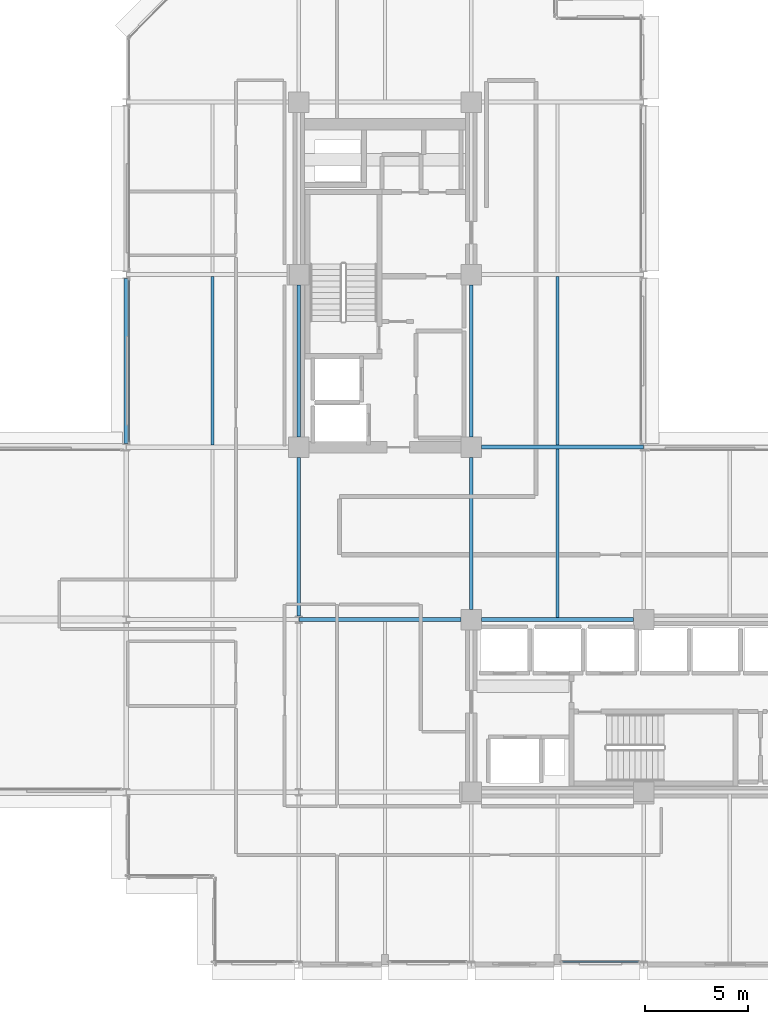
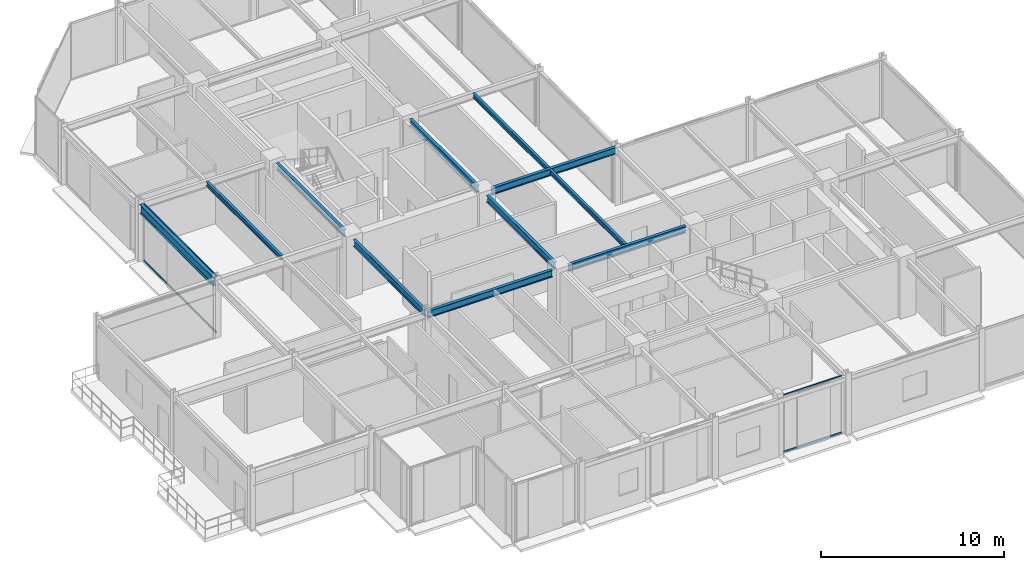
# One storey, part 10 of 29: 11 beams, 4 members, 2 elements without a shape of their own.
"""IFC4 building model written with IfcOpenShell, lengths in metres."""

from ifc_helpers import new_model, si_unit, direction, frame, origin, origin_2d, place, context, subcontext, project, spatial, hollow_rectangle, i_section, extrude, material, layer, layer_set, material_profile, profile_set, type_object, element, aggregate, save


model = new_model("IFC4")

# Units and contexts
model_context = context("Model", 3, precision=1e-05, world=origin(), true_north=direction((0.0, 1.0)))
body_context = subcontext(model_context, "Body", "Model", "MODEL_VIEW")
ifc_project = project(units=[si_unit("LENGTHUNIT", "METRE"), si_unit("AREAUNIT", "SQUARE_METRE"), si_unit("VOLUMEUNIT", "CUBIC_METRE"), si_unit("PLANEANGLEUNIT", "RADIAN"), si_unit("MASSUNIT", "GRAM", prefix="KILO")], contexts=[model_context])

# Site, building, storey
site_placement = place(None, origin())
site = spatial("IfcSite", under=ifc_project, at=site_placement, CompositionType="ELEMENT")
building_placement = place(site_placement, origin())
building = spatial("IfcBuilding", under=site, at=building_placement, Name="Nerrivon Quay Data Exchange", CompositionType="ELEMENT")
storey_placement = place(building_placement, frame((0.0, 0.0, 179.60009765625)))
storey = spatial("IfcBuildingStorey", under=building, at=storey_placement, Name="L42", CompositionType="ELEMENT", Elevation=179.60009765625)

# Beams
ifc_material_1 = material(Name="Steel Grade 350", Category="steel")
ifc_material_profile_1 = material_profile(ifc_material_1, i_section(OverallWidth=0.22802734375, OverallDepth=0.60205078125, WebThickness=0.010498046875, FlangeThickness=0.014892578125, FilletRadius=0.013916015625, at=origin_2d()), Name="610UB101")
ifc_profile_set_1 = profile_set([ifc_material_profile_1], Name="Steel Grade 350")
beam_type_1 = type_object("IfcBeamType", Name="BM-G2-610UB101", PredefinedType="BEAM", material=ifc_profile_set_1)
beam_1_placement = place(storey_placement, frame((0.0, 25.375, 3.52392578125), z_axis=(0.0, 1.0, 0.0), x_axis=(-1.0, 0.0, 0.0)))
element("IfcBeam", 1, at=beam_1_placement, inside=storey, type_object=beam_type_1, Name="L42 NS Girder X=0.0 (25.2..33.6)", PredefinedType="BEAM", context=body_context, shape_type="SweptSolid", body=[
    extrude(i_section(OverallWidth=0.22802734375, OverallDepth=0.60205078125, WebThickness=0.010498046875, FlangeThickness=0.014892578125, FilletRadius=0.013916015625, at=origin_2d()), origin(), (0.0, 0.0, 1.0), 8.050048828125),
])
ifc_material_profile_2 = material_profile(ifc_material_1, i_section(OverallWidth=0.19091796875, OverallDepth=0.4599609375, WebThickness=0.010009765625, FlangeThickness=0.01611328125, FilletRadius=0.011474609375, at=origin_2d()), Name="460UB82.1")
ifc_profile_set_2 = profile_set([ifc_material_profile_2], Name="Steel Grade 350")
beam_type_2 = type_object("IfcBeamType", Name="BM-G5-460UB82", PredefinedType="BEAM", material=ifc_profile_set_2)
beam_2_placement = place(storey_placement, frame((8.409912109375, 16.800048828125, 3.594970703125), z_axis=(1.0, 0.0, 0.0), x_axis=(0.0, 1.0, 0.0)))
element("IfcBeam", 2, at=beam_2_placement, inside=storey, type_object=beam_type_2, Name="L42 EW Girder Y=16.8 (8.4..16.8)", PredefinedType="BEAM", context=body_context, shape_type="SweptSolid", body=[
    extrude(i_section(OverallWidth=0.19091796875, OverallDepth=0.4599609375, WebThickness=0.010009765625, FlangeThickness=0.01611328125, FilletRadius=0.011474609375, at=origin_2d()), origin(), (0.0, 0.0, 1.0), 7.89013671875),
])
beam_3_placement = place(storey_placement, frame((17.300048828125, 16.800048828125, 3.594970703125), z_axis=(1.0, 0.0, 0.0), x_axis=(0.0, 1.0, 0.0)))
element("IfcBeam", 3, at=beam_3_placement, inside=storey, type_object=beam_type_2, Name="L42 EW Girder Y=16.8 (16.8..25.2)", PredefinedType="BEAM", context=body_context, shape_type="SweptSolid", body=[
    extrude(i_section(OverallWidth=0.19091796875, OverallDepth=0.4599609375, WebThickness=0.010009765625, FlangeThickness=0.01611328125, FilletRadius=0.011474609375, at=origin_2d()), origin(), (0.0, 0.0, 1.0), 7.39990234375),
])
beam_4_placement = place(storey_placement, frame((17.300048828125, 25.199951171875, 3.594970703125), z_axis=(1.0, 0.0, 0.0), x_axis=(0.0, 1.0, 0.0)))
element("IfcBeam", 4, at=beam_4_placement, inside=storey, type_object=beam_type_2, Name="L42 EW Girder Y=25.2 (16.8..25.2)", PredefinedType="BEAM", context=body_context, shape_type="SweptSolid", body=[
    extrude(i_section(OverallWidth=0.19091796875, OverallDepth=0.4599609375, WebThickness=0.010009765625, FlangeThickness=0.01611328125, FilletRadius=0.011474609375, at=origin_2d()), origin(), (0.0, 0.0, 1.0), 7.889892578125),
])
ifc_material_profile_3 = material_profile(ifc_material_1, i_section(OverallWidth=0.18994140625, OverallDepth=0.4541015625, WebThickness=0.008544921875, FlangeThickness=0.0126953125, FilletRadius=0.011474609375, at=origin_2d()), Name="460UB67.1")
ifc_profile_set_3 = profile_set([ifc_material_profile_3], Name="Steel Grade 350")
beam_type_3 = type_object("IfcBeamType", Name="BM-G6-460UB67", PredefinedType="BEAM", material=ifc_profile_set_3)
beam_5_placement = place(storey_placement, frame((8.39990234375, 16.97509765625, 3.597900390625), z_axis=(0.0, 1.0, 0.0), x_axis=(-1.0, 0.0, 0.0)))
element("IfcBeam", 5, at=beam_5_placement, inside=storey, type_object=beam_type_3, Name="L42 NS Girder X=8.4 (16.8..25.2)", PredefinedType="BEAM", context=body_context, shape_type="SweptSolid", body=[
    extrude(i_section(OverallWidth=0.18994140625, OverallDepth=0.4541015625, WebThickness=0.008544921875, FlangeThickness=0.0126953125, FilletRadius=0.011474609375, at=origin_2d()), origin(), (0.0, 0.0, 1.0), 7.724853515625),
])
beam_6_placement = place(storey_placement, frame((8.39990234375, 25.699951171875, 3.597900390625), z_axis=(0.0, 1.0, 0.0), x_axis=(-1.0, 0.0, 0.0)))
element("IfcBeam", 6, at=beam_6_placement, inside=storey, type_object=beam_type_3, Name="L42 NS Girder X=8.4 (25.2..33.6)", PredefinedType="BEAM", context=body_context, shape_type="SweptSolid", body=[
    extrude(i_section(OverallWidth=0.18994140625, OverallDepth=0.4541015625, WebThickness=0.008544921875, FlangeThickness=0.0126953125, FilletRadius=0.011474609375, at=origin_2d()), origin(), (0.0, 0.0, 1.0), 7.400146484375),
])
beam_7_placement = place(storey_placement, frame((16.800048828125, 17.300048828125, 3.597900390625), z_axis=(0.0, 1.0, 0.0), x_axis=(-1.0, 0.0, 0.0)))
element("IfcBeam", 7, at=beam_7_placement, inside=storey, type_object=beam_type_3, Name="L42 NS Girder X=16.8 (16.8..25.2)", PredefinedType="BEAM", context=body_context, shape_type="SweptSolid", body=[
    extrude(i_section(OverallWidth=0.18994140625, OverallDepth=0.4541015625, WebThickness=0.008544921875, FlangeThickness=0.0126953125, FilletRadius=0.011474609375, at=origin_2d()), origin(), (0.0, 0.0, 1.0), 7.39990234375),
])
beam_8_placement = place(storey_placement, frame((16.800048828125, 25.699951171875, 3.597900390625), z_axis=(0.0, 1.0, 0.0), x_axis=(-1.0, 0.0, 0.0)))
element("IfcBeam", 8, at=beam_8_placement, inside=storey, type_object=beam_type_3, Name="L42 NS Girder X=16.8 (25.2..33.6)", PredefinedType="BEAM", context=body_context, shape_type="SweptSolid", body=[
    extrude(i_section(OverallWidth=0.18994140625, OverallDepth=0.4541015625, WebThickness=0.008544921875, FlangeThickness=0.0126953125, FilletRadius=0.011474609375, at=origin_2d()), origin(), (0.0, 0.0, 1.0), 7.400146484375),
])
ifc_material_profile_4 = material_profile(ifc_material_1, i_section(OverallWidth=0.166015625, OverallDepth=0.306884765625, WebThickness=0.006591796875, FlangeThickness=0.01171875, FilletRadius=0.011474609375, at=origin_2d()), Name="310UB46.2")
ifc_profile_set_4 = profile_set([ifc_material_profile_4], Name="Steel Grade 350")
beam_type_4 = type_object("IfcBeamType", Name="BM-J5-310UB46", PredefinedType="JOIST", material=ifc_profile_set_4)
beam_9_placement = place(storey_placement, frame((4.199951171875, 25.314453125, 3.67138671875), z_axis=(0.0, 1.0, 0.0), x_axis=(-1.0, 0.0, 0.0)))
element("IfcBeam", 9, at=beam_9_placement, inside=storey, type_object=beam_type_4, Name="L42 Secondary Joist X=4.2 (25.2..33.6)", PredefinedType="JOIST", context=body_context, shape_type="SweptSolid", body=[
    extrude(i_section(OverallWidth=0.166015625, OverallDepth=0.306884765625, WebThickness=0.006591796875, FlangeThickness=0.01171875, FilletRadius=0.011474609375, at=origin_2d()), origin(), (0.0, 0.0, 1.0), 8.18994140625),
])
for number, where, z_axis, x_axis, name in (
    (10, (21.0, 16.8955078125, 3.67138671875), (0.0, 1.0, 0.0), (-1.0, 0.0, 0.0), "L42 Secondary Joist X=21.0 (16.8..25.2)"),
    (11, (21.0, 25.29541015625, 3.67138671875), (0.0, 1.0, 0.0), (-1.0, 0.0, 0.0), "L42 Secondary Joist X=21.0 (25.2..33.6)"),
):
    element("IfcBeam", number, at=place(storey_placement, frame(where, z_axis=z_axis, x_axis=x_axis)), inside=storey, type_object=beam_type_4, Name=name, PredefinedType="JOIST", context=body_context, shape_type="SweptSolid", body=[
        extrude(i_section(OverallWidth=0.166015625, OverallDepth=0.306884765625, WebThickness=0.006591796875, FlangeThickness=0.01171875, FilletRadius=0.011474609375, at=origin_2d()), origin(), (0.0, 0.0, 1.0), 8.208984375),
    ])

# Curtain wall, members
ifc_material_2 = material(Name="Anodised aluminium 6063-T6", Category="aluminium")
ifc_layer = layer(ifc_material_2, 0.195068359375)
ifc_layer_set = layer_set([ifc_layer], Name="Anodised aluminium 6063-T6")
curtain_wall_type = type_object("IfcCurtainWallType", Name="CW-SYS-06", PredefinedType="NOTDEFINED", material=ifc_layer_set)
curtain_wall_1_placement = place(storey_placement, origin())
curtain_wall_1 = element("IfcCurtainWall", 12, at=curtain_wall_1_placement, inside=storey, type_object=curtain_wall_type, Name="L42 Unitised Curtain Wall 4", PredefinedType="NOTDEFINED")
ifc_material_profile_5 = material_profile(ifc_material_2, hollow_rectangle(XDim=0.06005859375, YDim=0.1201171875, WallThickness=0.003173828125, at=origin_2d()), Name="ALU-TRAN-120x60")
ifc_profile_set_5 = profile_set([ifc_material_profile_5], Name="Anodised aluminium 6063-T6")
member_type = type_object("IfcMemberType", Name="CWT-120x60", PredefinedType="USERDEFINED", material=ifc_profile_set_5)
member_1_placement = place(storey_placement, frame((0.139892578125, 25.449951171875, 0.032470703125), z_axis=(0.0, 1.0, 0.0), x_axis=(-1.0, 0.0, 0.0)))
member_1 = element("IfcMember", 13, at=member_1_placement, type_object=member_type, Name="CW06 transom 1.1", ObjectType="TRANSOM", PredefinedType="USERDEFINED", context=body_context, shape_type="SweptSolid", body=[
    extrude(hollow_rectangle(XDim=0.06005859375, YDim=0.1201171875, WallThickness=0.003173828125, at=origin_2d()), origin(), (0.0, 0.0, 1.0), 7.900146484375),
])
member_2_placement = place(storey_placement, frame((0.139892578125, 25.449951171875, 3.79248046875), z_axis=(0.0, 1.0, 0.0), x_axis=(-1.0, 0.0, 0.0)))
member_2 = element("IfcMember", 14, at=member_2_placement, type_object=member_type, Name="CW06 transom 1.2", ObjectType="TRANSOM", PredefinedType="USERDEFINED", context=body_context, shape_type="SweptSolid", body=[
    extrude(hollow_rectangle(XDim=0.06005859375, YDim=0.1201171875, WallThickness=0.003173828125, at=origin_2d()), origin(), (0.0, 0.0, 1.0), 7.900146484375),
])
aggregate(curtain_wall_1, [member_1, member_2])

curtain_wall_2_placement = place(storey_placement, origin())
curtain_wall_2 = element("IfcCurtainWall", 15, at=curtain_wall_2_placement, inside=storey, type_object=curtain_wall_type, Name="L42 Unitised Curtain Wall 24", PredefinedType="NOTDEFINED")
member_3_placement = place(storey_placement, frame((24.949951171875, 0.139892578125, 0.032470703125), z_axis=(-1.0, 0.0, 0.0), x_axis=(0.0, -1.0, 0.0)))
member_3 = element("IfcMember", 16, at=member_3_placement, type_object=member_type, Name="CW06 transom 1.1", ObjectType="TRANSOM", PredefinedType="USERDEFINED", context=body_context, shape_type="SweptSolid", body=[
    extrude(hollow_rectangle(XDim=0.06005859375, YDim=0.1201171875, WallThickness=0.003173828125, at=origin_2d()), origin(), (0.0, 0.0, 1.0), 3.699951171875),
])
member_4_placement = place(storey_placement, frame((24.949951171875, 0.139892578125, 3.79248046875), z_axis=(-1.0, 0.0, 0.0), x_axis=(0.0, -1.0, 0.0)))
member_4 = element("IfcMember", 17, at=member_4_placement, type_object=member_type, Name="CW06 transom 1.2", ObjectType="TRANSOM", PredefinedType="USERDEFINED", context=body_context, shape_type="SweptSolid", body=[
    extrude(hollow_rectangle(XDim=0.06005859375, YDim=0.1201171875, WallThickness=0.003173828125, at=origin_2d()), origin(), (0.0, 0.0, 1.0), 3.699951171875),
])
aggregate(curtain_wall_2, [member_3, member_4])

save(model, "model.ifc")
